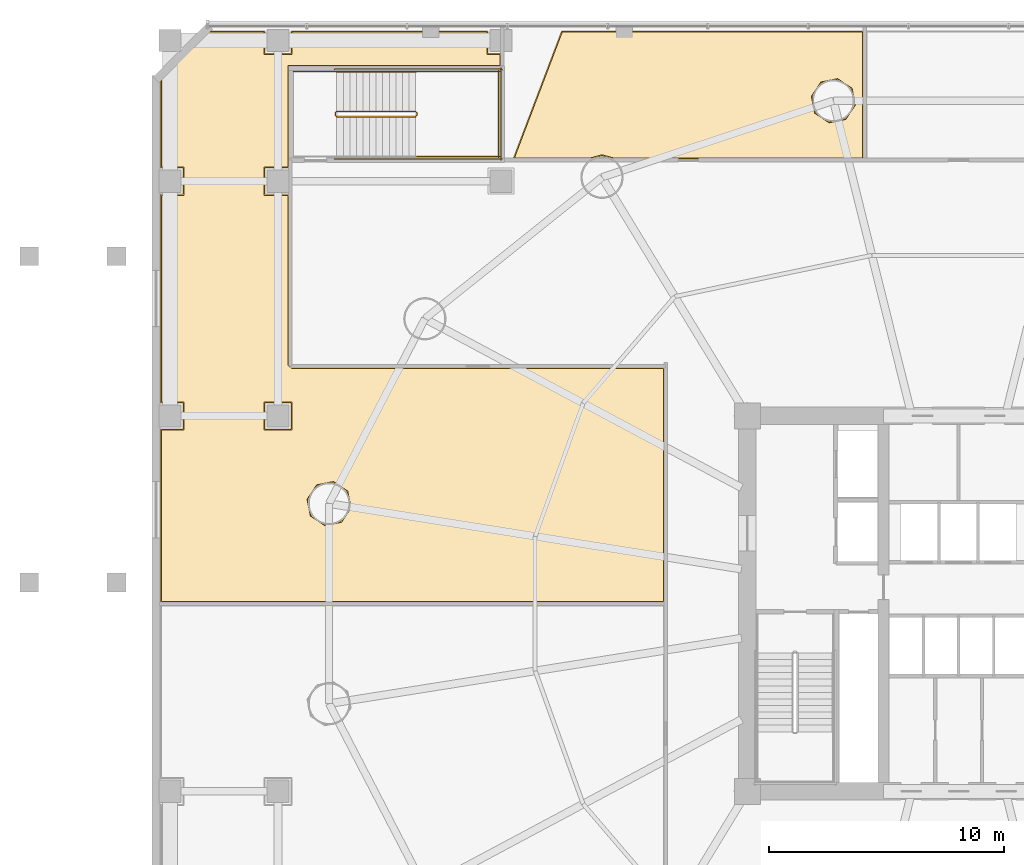
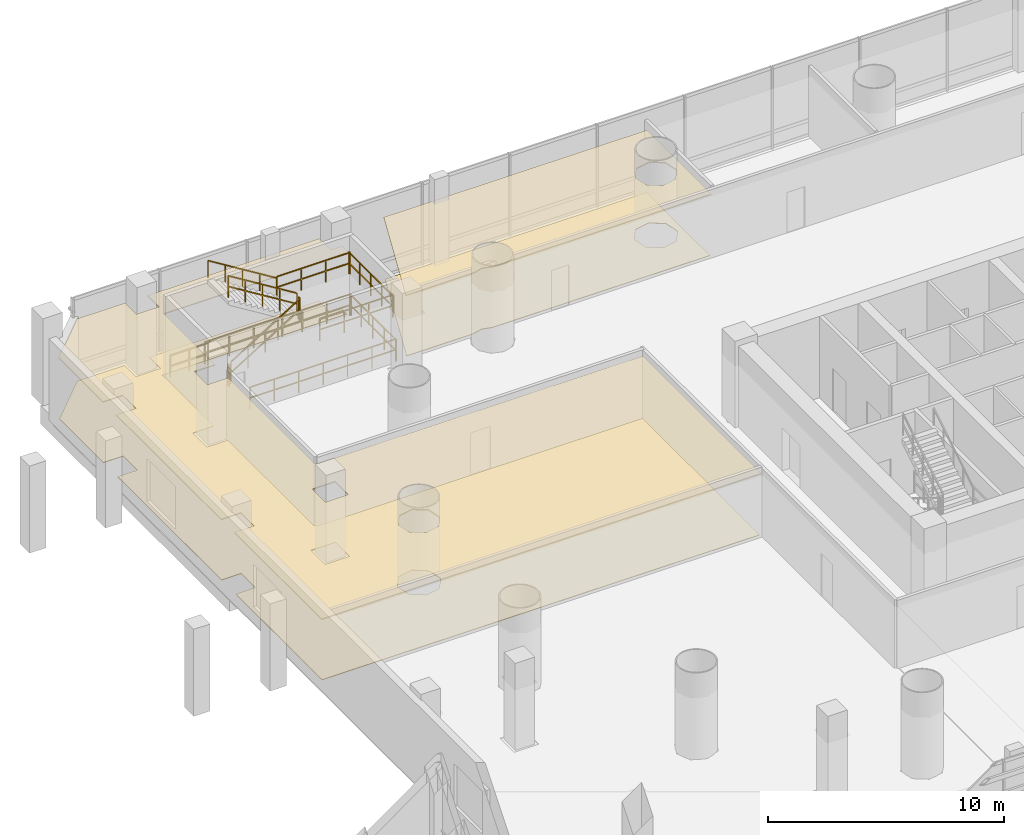
# One storey, part 31 of 36: 12 railings, 4 coverings.
"""IFC4 building model written with IfcOpenShell, lengths in metres."""

from ifc_helpers import new_model, si_unit, direction, frame, origin, origin_2d, place, context, subcontext, project, spatial, polyline, rectangle, outline, extrude, material, layer, layer_set, type_object, element, save


model = new_model("IFC4")

# Units and contexts
model_context = context("Model", 3, precision=1e-05, world=origin(), true_north=direction((-0.2419218956, 0.970295726276)))
body_context = subcontext(model_context, "Body", "Model", "MODEL_VIEW")
ifc_project = project(units=[si_unit("LENGTHUNIT", "METRE"), si_unit("AREAUNIT", "SQUARE_METRE"), si_unit("VOLUMEUNIT", "CUBIC_METRE"), si_unit("PLANEANGLEUNIT", "RADIAN"), si_unit("MASSUNIT", "GRAM", prefix="KILO")], contexts=[model_context])

# Site, building, storey
site_placement = place(None, origin())
site = spatial("IfcSite", under=ifc_project, at=site_placement, CompositionType="ELEMENT")
building_placement = place(site_placement, origin())
building = spatial("IfcBuilding", under=site, at=building_placement, Name="Cobrevalo Terracotta Tower", CompositionType="ELEMENT")
storey_placement = place(building_placement, frame((0.0, 0.0, 9.89990234375)))
storey = spatial("IfcBuildingStorey", under=building, at=storey_placement, Name="L02", CompositionType="ELEMENT", Elevation=9.89990234375)

# Coverings
ifc_material_1 = material(Name="Honed terracotta and granite tile", Category="masonry")
ifc_layer_1 = layer(ifc_material_1, 0.034912109375)
ifc_layer_set_1 = layer_set([ifc_layer_1], Name="Honed terracotta and granite tile")
covering_type_1 = type_object("IfcCoveringType", Name="Honed Terracotta & Granite Interior Flooring 35", PredefinedType="FLOORING", material=ifc_layer_set_1)
covering_1_placement = place(storey_placement, origin())
element("IfcCovering", 1, at=covering_1_placement, inside=storey, type_object=covering_type_1, Name="L02 Executive Boardroom Suite floor finish", PredefinedType="FLOORING", context=body_context, shape_type="SweptSolid", body=[
    extrude(outline(polyline([(6.078369140625, 51.159912109375), (8.39990234375, 51.159912109375), (8.39990234375, 50.199951171875), (9.60009765625, 50.199951171875), (9.60009765625, 51.159912109375), (17.89990234375, 51.159912109375), (17.89990234375, 50.199951171875), (18.449951171875, 50.199951171875), (18.449951171875, 49.739990234375), (9.429931640625, 49.739990234375), (9.420166015625, 45.39990234375), (8.39990234375, 45.39990234375), (8.39990234375, 44.199951171875), (9.421142578125, 44.199951171875), (9.427001953125, 36.947509765625), (9.5986328125, 36.820068359375), (25.419921875, 36.820068359375), (25.419921875, 26.89990234375), (4.0400390625, 26.89990234375), (4.0400390625, 34.199951171875), (5.0, 34.199951171875), (5.0, 35.39990234375), (4.0400390625, 35.39990234375), (4.0400390625, 44.199951171875), (5.0, 44.199951171875), (5.0, 45.39990234375), (4.0400390625, 45.39990234375), (4.0400390625, 49.121826171875), (6.078369140625, 51.159912109375)]), holes=[polyline([(11.708984375, 30.264404296875), (12.1171875, 30.87548828125), (11.973876953125, 31.59619140625), (11.36279296875, 32.00439453125), (10.64208984375, 31.861083984375), (10.23388671875, 31.25), (10.377197265625, 30.529296875), (10.98828125, 30.12109375), (11.708984375, 30.264404296875)]), polyline([(8.39990234375, 35.39990234375), (8.39990234375, 34.199951171875), (9.60009765625, 34.199951171875), (9.60009765625, 35.39990234375), (8.39990234375, 35.39990234375)])]), origin(), (0.0, 0.0, 1.0), 0.030029296875),
])
covering_2_placement = place(storey_placement, origin())
element("IfcCovering", 2, at=covering_2_placement, inside=storey, type_object=covering_type_1, Name="L02 Public Restrooms floor finish", PredefinedType="FLOORING", context=body_context, shape_type="SweptSolid", body=[
    extrude(outline(polyline([(33.89990234375, 45.800048828125), (23.274658203125, 45.800048828125), (22.80517578125, 45.927734375), (22.33544921875, 45.800048828125), (19.0791015625, 45.800048828125), (21.11376953125, 51.159912109375), (33.89990234375, 51.159912109375), (33.89990234375, 45.800048828125)]), holes=[polyline([(33.19775390625, 47.431884765625), (33.60595703125, 48.04296875), (33.462646484375, 48.763671875), (32.8515625, 49.171875), (32.130859375, 49.028564453125), (31.72265625, 48.41748046875), (31.865966796875, 47.69677734375), (32.47705078125, 47.28857421875), (33.19775390625, 47.431884765625)])]), origin(), (0.0, 0.0, 1.0), 0.030029296875),
])
ifc_material_2 = material(Name="Moisture-resistant mineral fibre ceiling", Category="gypsum")
ifc_layer_2 = layer(ifc_material_2, 0.0400390625)
ifc_layer_set_2 = layer_set([ifc_layer_2], Name="Moisture-resistant mineral fibre ceiling")
covering_type_2 = type_object("IfcCoveringType", Name="Moisture-Resistant Wet-Room Ceiling 40", PredefinedType="CEILING", material=ifc_layer_set_2)
covering_3_placement = place(storey_placement, frame((0.0, 0.0, 3.16015625)))
element("IfcCovering", 3, at=covering_3_placement, inside=storey, type_object=covering_type_2, Name="L02 Public Restrooms acoustic ceiling", PredefinedType="CEILING", context=body_context, shape_type="SweptSolid", body=[
    extrude(outline(polyline([(33.945068359375, 45.7548828125), (23.263427734375, 45.7548828125), (22.80517578125, 45.882568359375), (22.346923828125, 45.7548828125), (19.013671875, 45.7548828125), (21.082763671875, 51.205078125), (33.945068359375, 51.205078125), (33.945068359375, 45.7548828125)]), holes=[polyline([(33.172607421875, 47.469482421875), (33.5615234375, 48.0517578125), (33.425048828125, 48.738525390625), (32.8427734375, 49.12744140625), (32.156005859375, 48.990966796875), (31.76708984375, 48.40869140625), (31.903564453125, 47.721923828125), (32.48583984375, 47.332763671875), (33.172607421875, 47.469482421875)])]), origin(), (0.0, 0.0, 1.0), 0.050048828125),
])
ifc_material_3 = material(Name="Acoustic perforated gypsum ceiling", Category="gypsum")
ifc_layer_3 = layer(ifc_material_3, 0.050048828125)
ifc_layer_set_3 = layer_set([ifc_layer_3], Name="Acoustic perforated gypsum ceiling")
covering_type_3 = type_object("IfcCoveringType", Name="Perforated Acoustic Gypsum Ceiling 50", PredefinedType="CEILING", material=ifc_layer_set_3)
covering_4_placement = place(storey_placement, frame((0.0, 0.0, 3.16015625)))
element("IfcCovering", 4, at=covering_4_placement, inside=storey, type_object=covering_type_3, Name="L02 Executive Boardroom Suite acoustic ceiling", PredefinedType="CEILING", context=body_context, shape_type="SweptSolid", body=[
    extrude(outline(polyline([(6.0595703125, 51.205078125), (8.445068359375, 51.205078125), (8.445068359375, 50.2451171875), (9.554931640625, 50.2451171875), (9.554931640625, 51.205078125), (17.945068359375, 51.205078125), (17.945068359375, 50.2451171875), (18.4951171875, 50.2451171875), (18.4951171875, 49.695068359375), (9.47509765625, 49.695068359375), (9.46533203125, 45.35498046875), (8.445068359375, 45.35498046875), (8.445068359375, 44.2451171875), (9.466064453125, 44.2451171875), (9.471923828125, 36.961181640625), (9.601806640625, 36.864990234375), (25.465087890625, 36.864990234375), (25.465087890625, 26.85498046875), (3.9951171875, 26.85498046875), (3.9951171875, 34.2451171875), (4.955078125, 34.2451171875), (4.955078125, 35.35498046875), (3.9951171875, 35.35498046875), (3.9951171875, 44.2451171875), (4.955078125, 44.2451171875), (4.955078125, 45.35498046875), (3.9951171875, 45.35498046875), (3.9951171875, 49.140380859375), (6.0595703125, 51.205078125)]), holes=[polyline([(11.683837890625, 30.302001953125), (12.07275390625, 30.88427734375), (11.936279296875, 31.571044921875), (11.35400390625, 31.9599609375), (10.667236328125, 31.823486328125), (10.2783203125, 31.2412109375), (10.414794921875, 30.554443359375), (10.9970703125, 30.16552734375), (11.683837890625, 30.302001953125)]), polyline([(8.445068359375, 35.35498046875), (8.445068359375, 34.2451171875), (9.554931640625, 34.2451171875), (9.554931640625, 35.35498046875), (8.445068359375, 35.35498046875)])]), origin(), (0.0, 0.0, 1.0), 0.050048828125),
])

# Railings
ifc_material_4 = material(Name="Brushed stainless steel", Category="steel")
railing_type_1 = type_object("IfcRailingType", Name="Stainless Steel Stair Handrail 900", PredefinedType="HANDRAIL", material=ifc_material_4)
railing_1_placement = place(storey_placement, frame((14.860107421875, 49.469970703125, 2.423095703125)))
element("IfcRailing", 5, at=railing_1_placement, inside=storey, type_object=railing_type_1, Name="L02 ST-P1 stair handrail 2", PredefinedType="HANDRAIL", context=body_context, shape_type="SweptSolid", body=[
    extrude(rectangle(XDim=0.048095703125, YDim=0.048095703125, at=origin_2d()), frame((0.0, 0.0, 0.8759765625), z_axis=(-0.850623216509, 0.0, 0.525775754039), x_axis=(0.0, -1.0, 0.0)), (0.0, 0.0, 1.0), 3.9501953125),
    extrude(rectangle(XDim=0.0419921875, YDim=0.0419921875, at=origin_2d()), origin(), (0.0, 0.0, 1.0), 0.851806640625),
    extrude(rectangle(XDim=0.0419921875, YDim=0.0419921875, at=origin_2d()), frame((-0.840087890625, 0.0, 0.519287109375)), (0.0, 0.0, 1.0), 0.851806640625),
    extrude(rectangle(XDim=0.0419921875, YDim=0.0419921875, at=origin_2d()), frame((-1.68017578125, 0.0, 1.03857421875)), (0.0, 0.0, 1.0), 0.851806640625),
    extrude(rectangle(XDim=0.0419921875, YDim=0.0419921875, at=origin_2d()), frame((-2.52001953125, 0.0, 1.5576171875)), (0.0, 0.0, 1.0), 0.851806640625),
    extrude(rectangle(XDim=0.0419921875, YDim=0.0419921875, at=origin_2d()), frame((-3.360107421875, 0.0, 2.076904296875)), (0.0, 0.0, 1.0), 0.851806640625),
])
ifc_material_5 = material(Name="Painted galvanized steel", Category="steel")
railing_type_2 = type_object("IfcRailingType", Name="Stair Well Guard Balustrade 1150", PredefinedType="GUARDRAIL", material=ifc_material_5)
railing_2_placement = place(storey_placement, frame((11.5, 47.550048828125, 0.173095703125)))
element("IfcRailing", 6, at=railing_2_placement, inside=storey, type_object=railing_type_2, Name="L02 ST-P1 stair guard 1", PredefinedType="GUARDRAIL", context=body_context, shape_type="SweptSolid", body=[
    extrude(rectangle(XDim=0.048095703125, YDim=0.048095703125, at=origin_2d()), frame((0.0, 0.0, 1.1259765625), z_axis=(0.850623216509, 0.0, 0.525775754039), x_axis=(0.0, 1.0, 0.0)), (0.0, 0.0, 1.0), 3.9501953125),
    extrude(rectangle(XDim=0.048095703125, YDim=0.048095703125, at=origin_2d()), frame((0.0, 0.0, 0.574951171875), z_axis=(0.850623216509, 0.0, 0.525775754039), x_axis=(0.0, 1.0, 0.0)), (0.0, 0.0, 1.0), 3.9501953125),
    extrude(rectangle(XDim=0.0419921875, YDim=0.0419921875, at=origin_2d()), origin(), (0.0, 0.0, 1.0), 1.101806640625),
    extrude(rectangle(XDim=0.0419921875, YDim=0.0419921875, at=origin_2d()), frame((0.840087890625, 0.0, 0.519287109375)), (0.0, 0.0, 1.0), 1.101806640625),
    extrude(rectangle(XDim=0.0419921875, YDim=0.0419921875, at=origin_2d()), frame((1.68017578125, 0.0, 1.03857421875)), (0.0, 0.0, 1.0), 1.101806640625),
    extrude(rectangle(XDim=0.0419921875, YDim=0.0419921875, at=origin_2d()), frame((2.52001953125, 0.0, 1.5576171875)), (0.0, 0.0, 1.0), 1.101806640625),
    extrude(rectangle(XDim=0.0419921875, YDim=0.0419921875, at=origin_2d()), frame((3.360107421875, 0.0, 2.076904296875)), (0.0, 0.0, 1.0), 1.101806640625),
])
railing_3_placement = place(storey_placement, frame((14.909912109375, 47.60009765625, 2.25)))
element("IfcRailing", 7, at=railing_3_placement, inside=storey, type_object=railing_type_2, Name="L02 ST-P1 stair guard 2", PredefinedType="GUARDRAIL", context=body_context, shape_type="SweptSolid", body=[
    extrude(rectangle(XDim=0.048095703125, YDim=0.048095703125, at=origin_2d()), frame((0.0, 0.0, 1.1259765625), z_axis=(0.0, 1.0, 0.0), x_axis=(-1.0, 0.0, 0.0)), (0.0, 0.0, 1.0), 0.119873046875),
    extrude(rectangle(XDim=0.048095703125, YDim=0.048095703125, at=origin_2d()), frame((0.0, 0.0, 0.574951171875), z_axis=(0.0, 1.0, 0.0), x_axis=(-1.0, 0.0, 0.0)), (0.0, 0.0, 1.0), 0.119873046875),
    extrude(rectangle(XDim=0.0419921875, YDim=0.0419921875, at=origin_2d()), origin(), (0.0, 0.0, 1.0), 1.101806640625),
    extrude(rectangle(XDim=0.0419921875, YDim=0.0419921875, at=origin_2d()), frame((0.0, 0.119873046875, 0.0)), (0.0, 0.0, 1.0), 1.101806640625),
])
for number, where, name in (
    (8, (14.860107421875, 45.85009765625, 2.25), "L02 ST-P1 stair guard 3"),
    (9, (14.860107421875, 49.469970703125, 2.25), "L02 ST-P1 stair guard 4"),
):
    element("IfcRailing", number, at=place(storey_placement, frame(where)), inside=storey, type_object=railing_type_2, Name=name, PredefinedType="GUARDRAIL", context=body_context, shape_type="SweptSolid", body=[
        extrude(rectangle(XDim=0.048095703125, YDim=0.048095703125, at=origin_2d()), frame((0.0, 0.0, 1.1259765625), z_axis=(1.0, 0.0, 0.0), x_axis=(0.0, 1.0, 0.0)), (0.0, 0.0, 1.0), 3.58984375),
        extrude(rectangle(XDim=0.048095703125, YDim=0.048095703125, at=origin_2d()), frame((0.0, 0.0, 0.574951171875), z_axis=(1.0, 0.0, 0.0), x_axis=(0.0, 1.0, 0.0)), (0.0, 0.0, 1.0), 3.58984375),
        extrude(rectangle(XDim=0.0419921875, YDim=0.0419921875, at=origin_2d()), origin(), (0.0, 0.0, 1.0), 1.101806640625),
        extrude(rectangle(XDim=0.0419921875, YDim=0.0419921875, at=origin_2d()), frame((1.196533203125, 0.0, 0.0)), (0.0, 0.0, 1.0), 1.101806640625),
        extrude(rectangle(XDim=0.0419921875, YDim=0.0419921875, at=origin_2d()), frame((2.393310546875, 0.0, 0.0)), (0.0, 0.0, 1.0), 1.101806640625),
        extrude(rectangle(XDim=0.0419921875, YDim=0.0419921875, at=origin_2d()), frame((3.58984375, 0.0, 0.0)), (0.0, 0.0, 1.0), 1.101806640625),
    ])
railing_4_placement = place(storey_placement, frame((18.39990234375, 45.800048828125, 2.25)))
element("IfcRailing", 10, at=railing_4_placement, inside=storey, type_object=railing_type_2, Name="L02 ST-P1 stair guard 5", PredefinedType="GUARDRAIL", context=body_context, shape_type="SweptSolid", body=[
    extrude(rectangle(XDim=0.048095703125, YDim=0.048095703125, at=origin_2d()), frame((0.0, 0.0, 1.1259765625), z_axis=(0.0, 1.0, 0.0), x_axis=(-1.0, 0.0, 0.0)), (0.0, 0.0, 1.0), 3.719970703125),
    extrude(rectangle(XDim=0.048095703125, YDim=0.048095703125, at=origin_2d()), frame((0.0, 0.0, 0.574951171875), z_axis=(0.0, 1.0, 0.0), x_axis=(-1.0, 0.0, 0.0)), (0.0, 0.0, 1.0), 3.719970703125),
    extrude(rectangle(XDim=0.0419921875, YDim=0.0419921875, at=origin_2d()), origin(), (0.0, 0.0, 1.0), 1.101806640625),
    extrude(rectangle(XDim=0.0419921875, YDim=0.0419921875, at=origin_2d()), frame((0.0, 0.929931640625, 0.0)), (0.0, 0.0, 1.0), 1.101806640625),
    extrude(rectangle(XDim=0.0419921875, YDim=0.0419921875, at=origin_2d()), frame((0.0, 1.85986328125, 0.0)), (0.0, 0.0, 1.0), 1.101806640625),
    extrude(rectangle(XDim=0.0419921875, YDim=0.0419921875, at=origin_2d()), frame((0.0, 2.7900390625, 0.0)), (0.0, 0.0, 1.0), 1.101806640625),
    extrude(rectangle(XDim=0.0419921875, YDim=0.0419921875, at=origin_2d()), frame((0.0, 3.719970703125, 0.0)), (0.0, 0.0, 1.0), 1.101806640625),
])
railing_5_placement = place(storey_placement, frame((14.860107421875, 47.77001953125, 2.423095703125)))
element("IfcRailing", 11, at=railing_5_placement, inside=storey, type_object=railing_type_2, Name="L02 ST-P1 stair guard 6", PredefinedType="GUARDRAIL", context=body_context, shape_type="SweptSolid", body=[
    extrude(rectangle(XDim=0.048095703125, YDim=0.048095703125, at=origin_2d()), frame((0.0, 0.0, 1.1259765625), z_axis=(-0.850623216509, 0.0, 0.525775754039), x_axis=(0.0, -1.0, 0.0)), (0.0, 0.0, 1.0), 3.9501953125),
    extrude(rectangle(XDim=0.048095703125, YDim=0.048095703125, at=origin_2d()), frame((0.0, 0.0, 0.574951171875), z_axis=(-0.850623216509, 0.0, 0.525775754039), x_axis=(0.0, -1.0, 0.0)), (0.0, 0.0, 1.0), 3.9501953125),
    extrude(rectangle(XDim=0.0419921875, YDim=0.0419921875, at=origin_2d()), origin(), (0.0, 0.0, 1.0), 1.101806640625),
    extrude(rectangle(XDim=0.0419921875, YDim=0.0419921875, at=origin_2d()), frame((-0.840087890625, 0.0, 0.519287109375)), (0.0, 0.0, 1.0), 1.101806640625),
    extrude(rectangle(XDim=0.0419921875, YDim=0.0419921875, at=origin_2d()), frame((-1.68017578125, 0.0, 1.03857421875)), (0.0, 0.0, 1.0), 1.101806640625),
    extrude(rectangle(XDim=0.0419921875, YDim=0.0419921875, at=origin_2d()), frame((-2.52001953125, 0.0, 1.5576171875)), (0.0, 0.0, 1.0), 1.101806640625),
    extrude(rectangle(XDim=0.0419921875, YDim=0.0419921875, at=origin_2d()), frame((-3.360107421875, 0.0, 2.076904296875)), (0.0, 0.0, 1.0), 1.101806640625),
])
railing_6_placement = place(storey_placement, frame((11.449951171875, 47.60009765625, 0.0)))
element("IfcRailing", 12, at=railing_6_placement, inside=storey, type_object=railing_type_2, Name="L02 ST-P1 stair guard 7", PredefinedType="GUARDRAIL", context=body_context, shape_type="SweptSolid", body=[
    extrude(rectangle(XDim=0.048095703125, YDim=0.048095703125, at=origin_2d()), frame((0.0, 0.0, 1.1259765625), z_axis=(0.0, 1.0, 0.0), x_axis=(-1.0, 0.0, 0.0)), (0.0, 0.0, 1.0), 0.119873046875),
    extrude(rectangle(XDim=0.048095703125, YDim=0.048095703125, at=origin_2d()), frame((0.0, 0.0, 0.574951171875), z_axis=(0.0, 1.0, 0.0), x_axis=(-1.0, 0.0, 0.0)), (0.0, 0.0, 1.0), 0.119873046875),
    extrude(rectangle(XDim=0.0419921875, YDim=0.0419921875, at=origin_2d()), origin(), (0.0, 0.0, 1.0), 1.101806640625),
    extrude(rectangle(XDim=0.0419921875, YDim=0.0419921875, at=origin_2d()), frame((0.0, 0.119873046875, 0.0)), (0.0, 0.0, 1.0), 1.101806640625),
])
railing_7_placement = place(storey_placement, frame((9.64990234375, 49.469970703125, 0.0)))
element("IfcRailing", 13, at=railing_7_placement, inside=storey, type_object=railing_type_2, Name="L02 ST-P1 stair guard 9", PredefinedType="GUARDRAIL", context=body_context, shape_type="SweptSolid", body=[
    extrude(rectangle(XDim=0.048095703125, YDim=0.048095703125, at=origin_2d()), frame((0.0, 0.0, 1.1259765625), z_axis=(1.0, 0.0, 0.0), x_axis=(0.0, 1.0, 0.0)), (0.0, 0.0, 1.0), 1.85009765625),
    extrude(rectangle(XDim=0.048095703125, YDim=0.048095703125, at=origin_2d()), frame((0.0, 0.0, 0.574951171875), z_axis=(1.0, 0.0, 0.0), x_axis=(0.0, 1.0, 0.0)), (0.0, 0.0, 1.0), 1.85009765625),
    extrude(rectangle(XDim=0.0419921875, YDim=0.0419921875, at=origin_2d()), origin(), (0.0, 0.0, 1.0), 1.101806640625),
    extrude(rectangle(XDim=0.0419921875, YDim=0.0419921875, at=origin_2d()), frame((0.925048828125, 0.0, 0.0)), (0.0, 0.0, 1.0), 1.101806640625),
    extrude(rectangle(XDim=0.0419921875, YDim=0.0419921875, at=origin_2d()), frame((1.85009765625, 0.0, 0.0)), (0.0, 0.0, 1.0), 1.101806640625),
])
for number, where, name in (
    (14, (11.39990234375, 45.75, 0.0), "L02 ST-P1 stair guard 10"),
    (15, (11.39990234375, 49.570068359375, 0.0), "L02 ST-P1 stair guard 11"),
):
    element("IfcRailing", number, at=place(storey_placement, frame(where)), inside=storey, type_object=railing_type_2, Name=name, PredefinedType="GUARDRAIL", context=body_context, shape_type="SweptSolid", body=[
        extrude(rectangle(XDim=0.048095703125, YDim=0.048095703125, at=origin_2d()), frame((0.0, 0.0, 1.1259765625), z_axis=(1.0, 0.0, 0.0), x_axis=(0.0, 1.0, 0.0)), (0.0, 0.0, 1.0), 7.150146484375),
        extrude(rectangle(XDim=0.048095703125, YDim=0.048095703125, at=origin_2d()), frame((0.0, 0.0, 0.574951171875), z_axis=(1.0, 0.0, 0.0), x_axis=(0.0, 1.0, 0.0)), (0.0, 0.0, 1.0), 7.150146484375),
        extrude(rectangle(XDim=0.0419921875, YDim=0.0419921875, at=origin_2d()), origin(), (0.0, 0.0, 1.0), 1.101806640625),
        extrude(rectangle(XDim=0.0419921875, YDim=0.0419921875, at=origin_2d()), frame((1.191650390625, 0.0, 0.0)), (0.0, 0.0, 1.0), 1.101806640625),
        extrude(rectangle(XDim=0.0419921875, YDim=0.0419921875, at=origin_2d()), frame((2.38330078125, 0.0, 0.0)), (0.0, 0.0, 1.0), 1.101806640625),
        extrude(rectangle(XDim=0.0419921875, YDim=0.0419921875, at=origin_2d()), frame((3.5751953125, 0.0, 0.0)), (0.0, 0.0, 1.0), 1.101806640625),
        extrude(rectangle(XDim=0.0419921875, YDim=0.0419921875, at=origin_2d()), frame((4.766845703125, 0.0, 0.0)), (0.0, 0.0, 1.0), 1.101806640625),
        extrude(rectangle(XDim=0.0419921875, YDim=0.0419921875, at=origin_2d()), frame((5.95849609375, 0.0, 0.0)), (0.0, 0.0, 1.0), 1.101806640625),
        extrude(rectangle(XDim=0.0419921875, YDim=0.0419921875, at=origin_2d()), frame((7.150146484375, 0.0, 0.0)), (0.0, 0.0, 1.0), 1.101806640625),
    ])
railing_8_placement = place(storey_placement, frame((18.5, 45.699951171875, 0.0)))
element("IfcRailing", 16, at=railing_8_placement, inside=storey, type_object=railing_type_2, Name="L02 ST-P1 stair guard 12", PredefinedType="GUARDRAIL", context=body_context, shape_type="SweptSolid", body=[
    extrude(rectangle(XDim=0.048095703125, YDim=0.048095703125, at=origin_2d()), frame((0.0, 0.0, 1.1259765625), z_axis=(0.0, 1.0, 0.0), x_axis=(-1.0, 0.0, 0.0)), (0.0, 0.0, 1.0), 3.920166015625),
    extrude(rectangle(XDim=0.048095703125, YDim=0.048095703125, at=origin_2d()), frame((0.0, 0.0, 0.574951171875), z_axis=(0.0, 1.0, 0.0), x_axis=(-1.0, 0.0, 0.0)), (0.0, 0.0, 1.0), 3.920166015625),
    extrude(rectangle(XDim=0.0419921875, YDim=0.0419921875, at=origin_2d()), origin(), (0.0, 0.0, 1.0), 1.101806640625),
    extrude(rectangle(XDim=0.0419921875, YDim=0.0419921875, at=origin_2d()), frame((0.0, 0.97998046875, 0.0)), (0.0, 0.0, 1.0), 1.101806640625),
    extrude(rectangle(XDim=0.0419921875, YDim=0.0419921875, at=origin_2d()), frame((0.0, 1.9599609375, 0.0)), (0.0, 0.0, 1.0), 1.101806640625),
    extrude(rectangle(XDim=0.0419921875, YDim=0.0419921875, at=origin_2d()), frame((0.0, 2.940185546875, 0.0)), (0.0, 0.0, 1.0), 1.101806640625),
    extrude(rectangle(XDim=0.0419921875, YDim=0.0419921875, at=origin_2d()), frame((0.0, 3.920166015625, 0.0)), (0.0, 0.0, 1.0), 1.101806640625),
])

save(model, "model.ifc")
